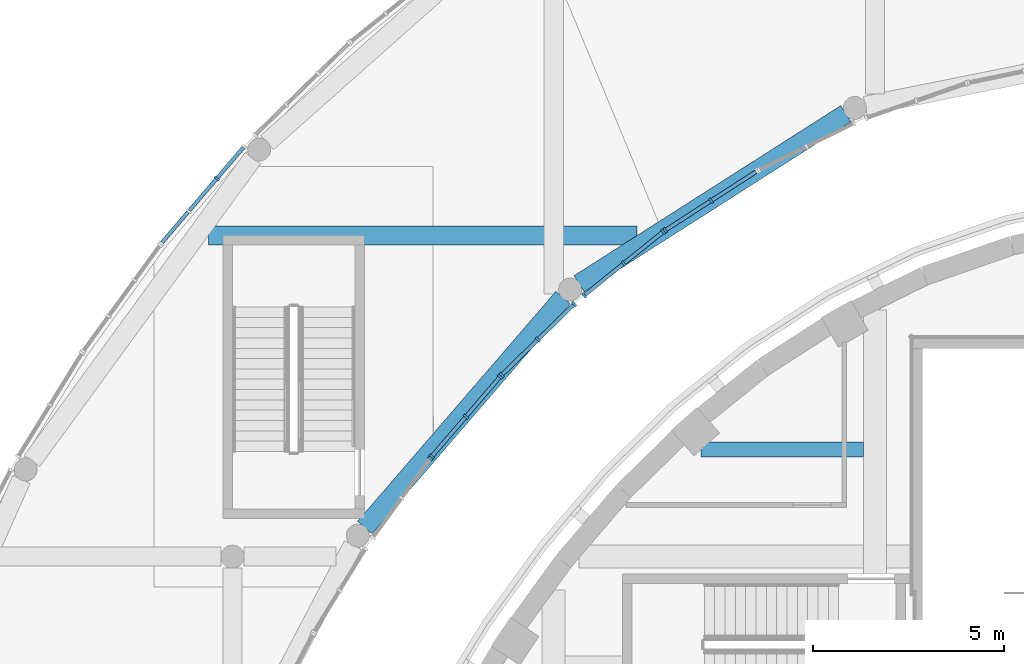
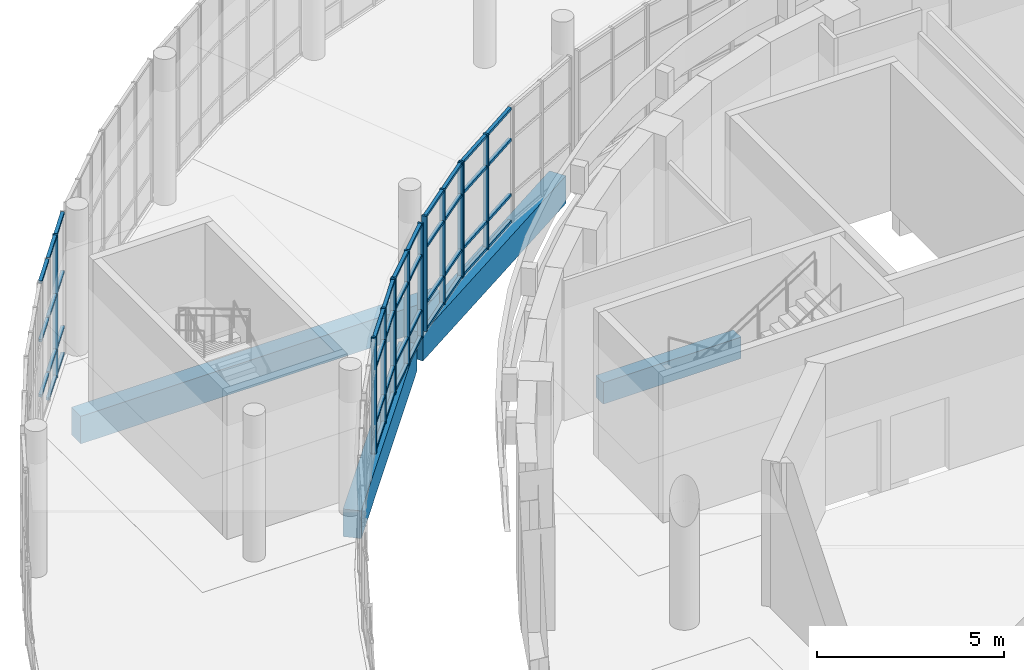
# One storey, part 25 of 119: 56 members, 4 beams, 6 elements without a shape of their own.
"""IFC4 building model written with IfcOpenShell, lengths in metres."""

from ifc_helpers import new_model, si_unit, direction, frame, origin, origin_2d, place, context, subcontext, project, spatial, rectangle, extrude, material, layer, layer_set, material_profile, profile_set, type_object, element, aggregate, save


model = new_model("IFC4")

# Units and contexts
model_context = context("Model", 3, precision=1e-05, world=origin(), true_north=direction((0.0, 1.0)))
body_context = subcontext(model_context, "Body", "Model", "MODEL_VIEW")
ifc_project = project(units=[si_unit("LENGTHUNIT", "METRE"), si_unit("AREAUNIT", "SQUARE_METRE"), si_unit("VOLUMEUNIT", "CUBIC_METRE"), si_unit("PLANEANGLEUNIT", "RADIAN"), si_unit("MASSUNIT", "GRAM", prefix="KILO")], contexts=[model_context])

# Site, building, storey
site_placement = place(None, origin())
site = spatial("IfcSite", under=ifc_project, at=site_placement, CompositionType="ELEMENT")
building_placement = place(site_placement, origin())
building = spatial("IfcBuilding", under=site, at=building_placement, Name="Larchfold Concert Hall", CompositionType="ELEMENT")
storey_placement = place(building_placement, frame((0.0, 0.0, 4.800048828125)))
storey = spatial("IfcBuildingStorey", under=building, at=storey_placement, Name="L01", CompositionType="ELEMENT", Elevation=4.800048828125)

# Curtain wall, member
ifc_material_1 = material(Name="Anodised graphite aluminium curtain wall", Category="aluminium")
ifc_layer = layer(ifc_material_1, 0.14990234375)
ifc_layer_set = layer_set([ifc_layer], Name="Anodised graphite aluminium curtain wall")
curtain_wall_type = type_object("IfcCurtainWallType", Name="Curtain wall WG", PredefinedType="NOTDEFINED", material=ifc_layer_set)
curtain_wall_1_placement = place(storey_placement, origin())
curtain_wall_1 = element("IfcCurtainWall", 1, at=curtain_wall_1_placement, inside=storey, type_object=curtain_wall_type, Name="Curtain wall CW0157", PredefinedType="NOTDEFINED")
ifc_material_2 = material(Name="Anodised graphite aluminium mullion", Category="aluminium")
ifc_material_profile_1 = material_profile(ifc_material_2, rectangle(XDim=0.14990234375, YDim=0.06005859375, at=origin_2d()))
ifc_profile_set_1 = profile_set([ifc_material_profile_1], Name="Anodised graphite aluminium mullion")
member_type_1 = type_object("IfcMemberType", Name="Aluminium mullion 60x150", PredefinedType="MULLION", material=ifc_profile_set_1)
member_1_placement = place(storey_placement, frame((22.573974609375, 112.37158203125, 0.0), z_axis=(0.0, 0.0, 1.0), x_axis=(-0.809887159261, 0.58658570496, 0.0)))
member_1 = element("IfcMember", 2, at=member_1_placement, type_object=member_type_1, Name="CW0157 mullion 3", PredefinedType="MULLION", context=body_context, shape_type="SweptSolid", body=[
    extrude(rectangle(XDim=0.14990234375, YDim=0.06005859375, at=origin_2d()), origin(), (0.0, 0.0, 1.0), 3.75),
])
aggregate(curtain_wall_1, [member_1])

# Curtain wall, members
curtain_wall_2_placement = place(storey_placement, origin())
curtain_wall_2 = element("IfcCurtainWall", 3, at=curtain_wall_2_placement, inside=storey, type_object=curtain_wall_type, Name="Curtain wall CW0158", PredefinedType="NOTDEFINED")
member_2_placement = place(storey_placement, frame((22.611083984375, 112.418701171875, 0.0), z_axis=(0.0, 0.0, 1.0), x_axis=(-0.759495997398, 0.650511975245, 0.0)))
member_2 = element("IfcMember", 4, at=member_2_placement, type_object=member_type_1, Name="CW0158 mullion 1", PredefinedType="MULLION", context=body_context, shape_type="SweptSolid", body=[
    extrude(rectangle(XDim=0.14990234375, YDim=0.06005859375, at=origin_2d()), origin(), (0.0, 0.0, 1.0), 3.75),
])
member_3_placement = place(storey_placement, frame((23.504638671875, 113.4619140625, 0.0), z_axis=(0.0, 0.0, 1.0), x_axis=(-0.759495997398, 0.650511975245, 0.0)))
member_3 = element("IfcMember", 5, at=member_3_placement, type_object=member_type_1, Name="CW0158 mullion 2", PredefinedType="MULLION", context=body_context, shape_type="SweptSolid", body=[
    extrude(rectangle(XDim=0.14990234375, YDim=0.06005859375, at=origin_2d()), origin(), (0.0, 0.0, 1.0), 3.75),
])
member_4_placement = place(storey_placement, frame((24.39794921875, 114.505126953125, 0.0), z_axis=(0.0, 0.0, 1.0), x_axis=(-0.759495997398, 0.650511975245, 0.0)))
member_4 = element("IfcMember", 6, at=member_4_placement, type_object=member_type_1, Name="CW0158 mullion 3", PredefinedType="MULLION", context=body_context, shape_type="SweptSolid", body=[
    extrude(rectangle(XDim=0.14990234375, YDim=0.06005859375, at=origin_2d()), origin(), (0.0, 0.0, 1.0), 3.75),
])

curtain_wall_3_placement = place(storey_placement, origin())
curtain_wall_3 = element("IfcCurtainWall", 7, at=curtain_wall_3_placement, inside=storey, type_object=curtain_wall_type, Name="Curtain wall CW0159", PredefinedType="NOTDEFINED")
member_5_placement = place(storey_placement, frame((24.43896484375, 114.548828125, 0.0), z_axis=(0.0, 0.0, 1.0), x_axis=(-0.69909205443, 0.715031677223, 0.0)))
member_5 = element("IfcMember", 8, at=member_5_placement, type_object=member_type_1, Name="CW0159 mullion 1", PredefinedType="MULLION", context=body_context, shape_type="SweptSolid", body=[
    extrude(rectangle(XDim=0.14990234375, YDim=0.06005859375, at=origin_2d()), origin(), (0.0, 0.0, 1.0), 3.75),
])
member_6_placement = place(storey_placement, frame((25.38671875, 115.475341796875, 0.0), z_axis=(0.0, 0.0, 1.0), x_axis=(-0.69909205443, 0.715031677223, 0.0)))
member_6 = element("IfcMember", 9, at=member_6_placement, type_object=member_type_1, Name="CW0159 mullion 2", PredefinedType="MULLION", context=body_context, shape_type="SweptSolid", body=[
    extrude(rectangle(XDim=0.14990234375, YDim=0.06005859375, at=origin_2d()), origin(), (0.0, 0.0, 1.0), 3.75),
])
member_7_placement = place(storey_placement, frame((26.33447265625, 116.402099609375, 0.0), z_axis=(0.0, 0.0, 1.0), x_axis=(-0.69909205443, 0.715031677223, 0.0)))
member_7 = element("IfcMember", 10, at=member_7_placement, type_object=member_type_1, Name="CW0159 mullion 3", PredefinedType="MULLION", context=body_context, shape_type="SweptSolid", body=[
    extrude(rectangle(XDim=0.14990234375, YDim=0.06005859375, at=origin_2d()), origin(), (0.0, 0.0, 1.0), 3.75),
])

curtain_wall_4_placement = place(storey_placement, origin())
curtain_wall_4 = element("IfcCurtainWall", 11, at=curtain_wall_4_placement, inside=storey, type_object=curtain_wall_type, Name="Curtain wall CW0160", PredefinedType="NOTDEFINED")
member_8_placement = place(storey_placement, frame((26.596435546875, 116.6328125, 0.0), z_axis=(0.0, 0.0, 1.0), x_axis=(-0.626938911007, 0.779068419245, 0.0)))
member_8 = element("IfcMember", 12, at=member_8_placement, type_object=member_type_1, Name="CW0160 mullion 1", PredefinedType="MULLION", context=body_context, shape_type="SweptSolid", body=[
    extrude(rectangle(XDim=0.14990234375, YDim=0.06005859375, at=origin_2d()), origin(), (0.0, 0.0, 1.0), 3.75),
])
member_9_placement = place(storey_placement, frame((27.63134765625, 117.465576171875, 0.0), z_axis=(0.0, 0.0, 1.0), x_axis=(-0.626938911007, 0.779068419245, 0.0)))
member_9 = element("IfcMember", 13, at=member_9_placement, type_object=member_type_1, Name="CW0160 mullion 2", PredefinedType="MULLION", context=body_context, shape_type="SweptSolid", body=[
    extrude(rectangle(XDim=0.14990234375, YDim=0.06005859375, at=origin_2d()), origin(), (0.0, 0.0, 1.0), 3.75),
])
member_10_placement = place(storey_placement, frame((28.666259765625, 118.298583984375, 0.0), z_axis=(0.0, 0.0, 1.0), x_axis=(-0.626938911007, 0.779068419245, 0.0)))
member_10 = element("IfcMember", 14, at=member_10_placement, type_object=member_type_1, Name="CW0160 mullion 3", PredefinedType="MULLION", context=body_context, shape_type="SweptSolid", body=[
    extrude(rectangle(XDim=0.14990234375, YDim=0.06005859375, at=origin_2d()), origin(), (0.0, 0.0, 1.0), 3.75),
])

curtain_wall_5_placement = place(storey_placement, origin())
curtain_wall_5 = element("IfcCurtainWall", 15, at=curtain_wall_5_placement, inside=storey, type_object=curtain_wall_type, Name="Curtain wall CW0161", PredefinedType="NOTDEFINED")
member_11_placement = place(storey_placement, frame((28.71484375, 118.333740234375, 0.0), z_axis=(0.0, 0.0, 1.0), x_axis=(-0.541844610619, 0.840478683813, 0.0)))
member_11 = element("IfcMember", 16, at=member_11_placement, type_object=member_type_1, Name="CW0161 mullion 1", PredefinedType="MULLION", context=body_context, shape_type="SweptSolid", body=[
    extrude(rectangle(XDim=0.14990234375, YDim=0.06005859375, at=origin_2d()), origin(), (0.0, 0.0, 1.0), 3.75),
])
member_12_placement = place(storey_placement, frame((29.915283203125, 119.107421875, 0.0), z_axis=(0.0, 0.0, 1.0), x_axis=(-0.541844610619, 0.840478683813, 0.0)))
member_12 = element("IfcMember", 17, at=member_12_placement, type_object=member_type_1, Name="CW0161 mullion 2", PredefinedType="MULLION", context=body_context, shape_type="SweptSolid", body=[
    extrude(rectangle(XDim=0.14990234375, YDim=0.06005859375, at=origin_2d()), origin(), (0.0, 0.0, 1.0), 3.75),
])

# Curtain wall, member
curtain_wall_6_placement = place(storey_placement, origin())
curtain_wall_6 = element("IfcCurtainWall", 18, at=curtain_wall_6_placement, inside=storey, type_object=curtain_wall_type, Name="Curtain wall CW0184", PredefinedType="NOTDEFINED")
member_13_placement = place(storey_placement, frame((16.9892578125, 119.690185546875, 0.0), z_axis=(0.0, 0.0, 1.0), x_axis=(0.759444508199, -0.650572085911, 0.0)))
member_13 = element("IfcMember", 19, at=member_13_placement, type_object=member_type_1, Name="CW0184 mullion 2", PredefinedType="MULLION", context=body_context, shape_type="SweptSolid", body=[
    extrude(rectangle(XDim=0.14990234375, YDim=0.06005859375, at=origin_2d()), origin(), (0.0, 0.0, 1.0), 4.64990234375),
])

# Member
ifc_material_3 = material(Name="Anodised graphite aluminium transom", Category="aluminium")
ifc_material_profile_2 = material_profile(ifc_material_3, rectangle(XDim=0.10009765625, YDim=0.080078125, at=origin_2d()))
ifc_profile_set_2 = profile_set([ifc_material_profile_2], Name="Anodised graphite aluminium transom")
member_type_2 = type_object("IfcMemberType", Name="Aluminium transom 80x100", PredefinedType="USERDEFINED", material=ifc_profile_set_2)
member_14_placement = place(storey_placement, frame((22.630615234375, 112.441650390625, 0.0400390625), z_axis=(0.650546428002, 0.759466487091, 0.0), x_axis=(-0.759466487091, 0.650546428002, 0.0)))
member_14 = element("IfcMember", 20, at=member_14_placement, type_object=member_type_2, Name="CW0158 transom 1.1", ObjectType="TRANSOM", PredefinedType="USERDEFINED", context=body_context, shape_type="SweptSolid", body=[
    extrude(rectangle(XDim=0.10009765625, YDim=0.080078125, at=origin_2d()), origin(), (0.0, 0.0, 1.0), 1.3134765625),
])

member_15_placement = place(storey_placement, frame((22.630615234375, 112.441650390625, 0.89990234375), z_axis=(0.650546428002, 0.759466487091, 0.0), x_axis=(-0.759466487091, 0.650546428002, 0.0)))
member_15 = element("IfcMember", 21, at=member_15_placement, type_object=member_type_2, Name="CW0158 transom 1.2", ObjectType="TRANSOM", PredefinedType="USERDEFINED", context=body_context, shape_type="SweptSolid", body=[
    extrude(rectangle(XDim=0.10009765625, YDim=0.080078125, at=origin_2d()), origin(), (0.0, 0.0, 1.0), 1.3134765625),
])

member_16_placement = place(storey_placement, frame((22.630615234375, 112.441650390625, 2.699951171875), z_axis=(0.650546428002, 0.759466487091, 0.0), x_axis=(-0.759466487091, 0.650546428002, 0.0)))
member_16 = element("IfcMember", 22, at=member_16_placement, type_object=member_type_2, Name="CW0158 transom 1.3", ObjectType="TRANSOM", PredefinedType="USERDEFINED", context=body_context, shape_type="SweptSolid", body=[
    extrude(rectangle(XDim=0.10009765625, YDim=0.080078125, at=origin_2d()), origin(), (0.0, 0.0, 1.0), 1.3134765625),
])

member_17_placement = place(storey_placement, frame((22.630615234375, 112.441650390625, 3.7099609375), z_axis=(0.650546428002, 0.759466487091, 0.0), x_axis=(-0.759466487091, 0.650546428002, 0.0)))
member_17 = element("IfcMember", 23, at=member_17_placement, type_object=member_type_2, Name="CW0158 transom 1.4", ObjectType="TRANSOM", PredefinedType="USERDEFINED", context=body_context, shape_type="SweptSolid", body=[
    extrude(rectangle(XDim=0.10009765625, YDim=0.080078125, at=origin_2d()), origin(), (0.0, 0.0, 1.0), 1.3134765625),
])

member_18_placement = place(storey_placement, frame((23.52392578125, 113.484619140625, 0.0400390625), z_axis=(0.650546428002, 0.759466487091, 0.0), x_axis=(-0.759466487091, 0.650546428002, 0.0)))
member_18 = element("IfcMember", 24, at=member_18_placement, type_object=member_type_2, Name="CW0158 transom 2.1", ObjectType="TRANSOM", PredefinedType="USERDEFINED", context=body_context, shape_type="SweptSolid", body=[
    extrude(rectangle(XDim=0.10009765625, YDim=0.080078125, at=origin_2d()), origin(), (0.0, 0.0, 1.0), 1.3134765625),
])

member_19_placement = place(storey_placement, frame((23.52392578125, 113.484619140625, 0.89990234375), z_axis=(0.650546428002, 0.759466487091, 0.0), x_axis=(-0.759466487091, 0.650546428002, 0.0)))
member_19 = element("IfcMember", 25, at=member_19_placement, type_object=member_type_2, Name="CW0158 transom 2.2", ObjectType="TRANSOM", PredefinedType="USERDEFINED", context=body_context, shape_type="SweptSolid", body=[
    extrude(rectangle(XDim=0.10009765625, YDim=0.080078125, at=origin_2d()), origin(), (0.0, 0.0, 1.0), 1.3134765625),
])

member_20_placement = place(storey_placement, frame((23.52392578125, 113.484619140625, 2.699951171875), z_axis=(0.650546428002, 0.759466487091, 0.0), x_axis=(-0.759466487091, 0.650546428002, 0.0)))
member_20 = element("IfcMember", 26, at=member_20_placement, type_object=member_type_2, Name="CW0158 transom 2.3", ObjectType="TRANSOM", PredefinedType="USERDEFINED", context=body_context, shape_type="SweptSolid", body=[
    extrude(rectangle(XDim=0.10009765625, YDim=0.080078125, at=origin_2d()), origin(), (0.0, 0.0, 1.0), 1.3134765625),
])

member_21_placement = place(storey_placement, frame((23.52392578125, 113.484619140625, 3.7099609375), z_axis=(0.650546428002, 0.759466487091, 0.0), x_axis=(-0.759466487091, 0.650546428002, 0.0)))
member_21 = element("IfcMember", 27, at=member_21_placement, type_object=member_type_2, Name="CW0158 transom 2.4", ObjectType="TRANSOM", PredefinedType="USERDEFINED", context=body_context, shape_type="SweptSolid", body=[
    extrude(rectangle(XDim=0.10009765625, YDim=0.080078125, at=origin_2d()), origin(), (0.0, 0.0, 1.0), 1.3134765625),
])

aggregate(curtain_wall_2, [member_2, member_3, member_4, member_14, member_15, member_16, member_17, member_18, member_19, member_20, member_21])

member_22_placement = place(storey_placement, frame((24.46044921875, 114.56982421875, 0.0400390625), z_axis=(0.714972379402, 0.699152699124, 0.0), x_axis=(-0.699152699124, 0.714972379402, 0.0)))
member_22 = element("IfcMember", 28, at=member_22_placement, type_object=member_type_2, Name="CW0159 transom 1.1", ObjectType="TRANSOM", PredefinedType="USERDEFINED", context=body_context, shape_type="SweptSolid", body=[
    extrude(rectangle(XDim=0.10009765625, YDim=0.080078125, at=origin_2d()), origin(), (0.0, 0.0, 1.0), 1.265380859375),
])

member_23_placement = place(storey_placement, frame((24.46044921875, 114.56982421875, 0.89990234375), z_axis=(0.714972379402, 0.699152699124, 0.0), x_axis=(-0.699152699124, 0.714972379402, 0.0)))
member_23 = element("IfcMember", 29, at=member_23_placement, type_object=member_type_2, Name="CW0159 transom 1.2", ObjectType="TRANSOM", PredefinedType="USERDEFINED", context=body_context, shape_type="SweptSolid", body=[
    extrude(rectangle(XDim=0.10009765625, YDim=0.080078125, at=origin_2d()), origin(), (0.0, 0.0, 1.0), 1.265380859375),
])

member_24_placement = place(storey_placement, frame((24.46044921875, 114.56982421875, 2.699951171875), z_axis=(0.714972379402, 0.699152699124, 0.0), x_axis=(-0.699152699124, 0.714972379402, 0.0)))
member_24 = element("IfcMember", 30, at=member_24_placement, type_object=member_type_2, Name="CW0159 transom 1.3", ObjectType="TRANSOM", PredefinedType="USERDEFINED", context=body_context, shape_type="SweptSolid", body=[
    extrude(rectangle(XDim=0.10009765625, YDim=0.080078125, at=origin_2d()), origin(), (0.0, 0.0, 1.0), 1.265380859375),
])

member_25_placement = place(storey_placement, frame((24.46044921875, 114.56982421875, 3.7099609375), z_axis=(0.714972379402, 0.699152699124, 0.0), x_axis=(-0.699152699124, 0.714972379402, 0.0)))
member_25 = element("IfcMember", 31, at=member_25_placement, type_object=member_type_2, Name="CW0159 transom 1.4", ObjectType="TRANSOM", PredefinedType="USERDEFINED", context=body_context, shape_type="SweptSolid", body=[
    extrude(rectangle(XDim=0.10009765625, YDim=0.080078125, at=origin_2d()), origin(), (0.0, 0.0, 1.0), 1.265380859375),
])

member_26_placement = place(storey_placement, frame((25.408203125, 115.496337890625, 0.0400390625), z_axis=(0.714972379402, 0.699152699124, 0.0), x_axis=(-0.699152699124, 0.714972379402, 0.0)))
member_26 = element("IfcMember", 32, at=member_26_placement, type_object=member_type_2, Name="CW0159 transom 2.1", ObjectType="TRANSOM", PredefinedType="USERDEFINED", context=body_context, shape_type="SweptSolid", body=[
    extrude(rectangle(XDim=0.10009765625, YDim=0.080078125, at=origin_2d()), origin(), (0.0, 0.0, 1.0), 1.265380859375),
])

member_27_placement = place(storey_placement, frame((25.408203125, 115.496337890625, 0.89990234375), z_axis=(0.714972379402, 0.699152699124, 0.0), x_axis=(-0.699152699124, 0.714972379402, 0.0)))
member_27 = element("IfcMember", 33, at=member_27_placement, type_object=member_type_2, Name="CW0159 transom 2.2", ObjectType="TRANSOM", PredefinedType="USERDEFINED", context=body_context, shape_type="SweptSolid", body=[
    extrude(rectangle(XDim=0.10009765625, YDim=0.080078125, at=origin_2d()), origin(), (0.0, 0.0, 1.0), 1.265380859375),
])

member_28_placement = place(storey_placement, frame((25.408203125, 115.496337890625, 2.699951171875), z_axis=(0.714972379402, 0.699152699124, 0.0), x_axis=(-0.699152699124, 0.714972379402, 0.0)))
member_28 = element("IfcMember", 34, at=member_28_placement, type_object=member_type_2, Name="CW0159 transom 2.3", ObjectType="TRANSOM", PredefinedType="USERDEFINED", context=body_context, shape_type="SweptSolid", body=[
    extrude(rectangle(XDim=0.10009765625, YDim=0.080078125, at=origin_2d()), origin(), (0.0, 0.0, 1.0), 1.265380859375),
])

member_29_placement = place(storey_placement, frame((25.408203125, 115.496337890625, 3.7099609375), z_axis=(0.714972379402, 0.699152699124, 0.0), x_axis=(-0.699152699124, 0.714972379402, 0.0)))
member_29 = element("IfcMember", 35, at=member_29_placement, type_object=member_type_2, Name="CW0159 transom 2.4", ObjectType="TRANSOM", PredefinedType="USERDEFINED", context=body_context, shape_type="SweptSolid", body=[
    extrude(rectangle(XDim=0.10009765625, YDim=0.080078125, at=origin_2d()), origin(), (0.0, 0.0, 1.0), 1.265380859375),
])

aggregate(curtain_wall_3, [member_5, member_6, member_7, member_22, member_23, member_24, member_25, member_26, member_27, member_28, member_29])

member_30_placement = place(storey_placement, frame((26.61962890625, 116.651611328125, 0.0400390625), z_axis=(0.779119443181, 0.626875500603, 0.0), x_axis=(-0.626875500603, 0.779119443181, 0.0)))
member_30 = element("IfcMember", 36, at=member_30_placement, type_object=member_type_2, Name="CW0160 transom 1.1", ObjectType="TRANSOM", PredefinedType="USERDEFINED", context=body_context, shape_type="SweptSolid", body=[
    extrude(rectangle(XDim=0.10009765625, YDim=0.080078125, at=origin_2d()), origin(), (0.0, 0.0, 1.0), 1.2685546875),
])

member_31_placement = place(storey_placement, frame((26.61962890625, 116.651611328125, 0.89990234375), z_axis=(0.779119443181, 0.626875500603, 0.0), x_axis=(-0.626875500603, 0.779119443181, 0.0)))
member_31 = element("IfcMember", 37, at=member_31_placement, type_object=member_type_2, Name="CW0160 transom 1.2", ObjectType="TRANSOM", PredefinedType="USERDEFINED", context=body_context, shape_type="SweptSolid", body=[
    extrude(rectangle(XDim=0.10009765625, YDim=0.080078125, at=origin_2d()), origin(), (0.0, 0.0, 1.0), 1.2685546875),
])

member_32_placement = place(storey_placement, frame((26.61962890625, 116.651611328125, 2.699951171875), z_axis=(0.779119443181, 0.626875500603, 0.0), x_axis=(-0.626875500603, 0.779119443181, 0.0)))
member_32 = element("IfcMember", 38, at=member_32_placement, type_object=member_type_2, Name="CW0160 transom 1.3", ObjectType="TRANSOM", PredefinedType="USERDEFINED", context=body_context, shape_type="SweptSolid", body=[
    extrude(rectangle(XDim=0.10009765625, YDim=0.080078125, at=origin_2d()), origin(), (0.0, 0.0, 1.0), 1.2685546875),
])

member_33_placement = place(storey_placement, frame((26.61962890625, 116.651611328125, 3.7099609375), z_axis=(0.779119443181, 0.626875500603, 0.0), x_axis=(-0.626875500603, 0.779119443181, 0.0)))
member_33 = element("IfcMember", 39, at=member_33_placement, type_object=member_type_2, Name="CW0160 transom 1.4", ObjectType="TRANSOM", PredefinedType="USERDEFINED", context=body_context, shape_type="SweptSolid", body=[
    extrude(rectangle(XDim=0.10009765625, YDim=0.080078125, at=origin_2d()), origin(), (0.0, 0.0, 1.0), 1.2685546875),
])

member_34_placement = place(storey_placement, frame((27.65478515625, 117.484619140625, 0.0400390625), z_axis=(0.779119443181, 0.626875500603, 0.0), x_axis=(-0.626875500603, 0.779119443181, 0.0)))
member_34 = element("IfcMember", 40, at=member_34_placement, type_object=member_type_2, Name="CW0160 transom 2.1", ObjectType="TRANSOM", PredefinedType="USERDEFINED", context=body_context, shape_type="SweptSolid", body=[
    extrude(rectangle(XDim=0.10009765625, YDim=0.080078125, at=origin_2d()), origin(), (0.0, 0.0, 1.0), 1.2685546875),
])

member_35_placement = place(storey_placement, frame((27.65478515625, 117.484619140625, 0.89990234375), z_axis=(0.779119443181, 0.626875500603, 0.0), x_axis=(-0.626875500603, 0.779119443181, 0.0)))
member_35 = element("IfcMember", 41, at=member_35_placement, type_object=member_type_2, Name="CW0160 transom 2.2", ObjectType="TRANSOM", PredefinedType="USERDEFINED", context=body_context, shape_type="SweptSolid", body=[
    extrude(rectangle(XDim=0.10009765625, YDim=0.080078125, at=origin_2d()), origin(), (0.0, 0.0, 1.0), 1.2685546875),
])

member_36_placement = place(storey_placement, frame((27.65478515625, 117.484619140625, 2.699951171875), z_axis=(0.779119443181, 0.626875500603, 0.0), x_axis=(-0.626875500603, 0.779119443181, 0.0)))
member_36 = element("IfcMember", 42, at=member_36_placement, type_object=member_type_2, Name="CW0160 transom 2.3", ObjectType="TRANSOM", PredefinedType="USERDEFINED", context=body_context, shape_type="SweptSolid", body=[
    extrude(rectangle(XDim=0.10009765625, YDim=0.080078125, at=origin_2d()), origin(), (0.0, 0.0, 1.0), 1.2685546875),
])

member_37_placement = place(storey_placement, frame((27.65478515625, 117.484619140625, 3.7099609375), z_axis=(0.779119443181, 0.626875500603, 0.0), x_axis=(-0.626875500603, 0.779119443181, 0.0)))
member_37 = element("IfcMember", 43, at=member_37_placement, type_object=member_type_2, Name="CW0160 transom 2.4", ObjectType="TRANSOM", PredefinedType="USERDEFINED", context=body_context, shape_type="SweptSolid", body=[
    extrude(rectangle(XDim=0.10009765625, YDim=0.080078125, at=origin_2d()), origin(), (0.0, 0.0, 1.0), 1.2685546875),
])

aggregate(curtain_wall_4, [member_8, member_9, member_10, member_30, member_31, member_32, member_33, member_34, member_35, member_36, member_37])

member_38_placement = place(storey_placement, frame((28.740234375, 118.349853515625, 0.0400390625), z_axis=(0.840464466125, 0.541866663656, 0.0), x_axis=(-0.541866663656, 0.840464466125, 0.0)))
member_38 = element("IfcMember", 44, at=member_38_placement, type_object=member_type_2, Name="CW0161 transom 1.1", ObjectType="TRANSOM", PredefinedType="USERDEFINED", context=body_context, shape_type="SweptSolid", body=[
    extrude(rectangle(XDim=0.10009765625, YDim=0.080078125, at=origin_2d()), origin(), (0.0, 0.0, 1.0), 1.367919921875),
])

member_39_placement = place(storey_placement, frame((28.740234375, 118.349853515625, 0.89990234375), z_axis=(0.840464466125, 0.541866663656, 0.0), x_axis=(-0.541866663656, 0.840464466125, 0.0)))
member_39 = element("IfcMember", 45, at=member_39_placement, type_object=member_type_2, Name="CW0161 transom 1.2", ObjectType="TRANSOM", PredefinedType="USERDEFINED", context=body_context, shape_type="SweptSolid", body=[
    extrude(rectangle(XDim=0.10009765625, YDim=0.080078125, at=origin_2d()), origin(), (0.0, 0.0, 1.0), 1.367919921875),
])

member_40_placement = place(storey_placement, frame((28.740234375, 118.349853515625, 2.699951171875), z_axis=(0.840464466125, 0.541866663656, 0.0), x_axis=(-0.541866663656, 0.840464466125, 0.0)))
member_40 = element("IfcMember", 46, at=member_40_placement, type_object=member_type_2, Name="CW0161 transom 1.3", ObjectType="TRANSOM", PredefinedType="USERDEFINED", context=body_context, shape_type="SweptSolid", body=[
    extrude(rectangle(XDim=0.10009765625, YDim=0.080078125, at=origin_2d()), origin(), (0.0, 0.0, 1.0), 1.367919921875),
])

member_41_placement = place(storey_placement, frame((28.740234375, 118.349853515625, 3.7099609375), z_axis=(0.840464466125, 0.541866663656, 0.0), x_axis=(-0.541866663656, 0.840464466125, 0.0)))
member_41 = element("IfcMember", 47, at=member_41_placement, type_object=member_type_2, Name="CW0161 transom 1.4", ObjectType="TRANSOM", PredefinedType="USERDEFINED", context=body_context, shape_type="SweptSolid", body=[
    extrude(rectangle(XDim=0.10009765625, YDim=0.080078125, at=origin_2d()), origin(), (0.0, 0.0, 1.0), 1.367919921875),
])

member_42_placement = place(storey_placement, frame((29.9404296875, 119.123779296875, 0.0400390625), z_axis=(0.840464466125, 0.541866663656, 0.0), x_axis=(-0.541866663656, 0.840464466125, 0.0)))
member_42 = element("IfcMember", 48, at=member_42_placement, type_object=member_type_2, Name="CW0161 transom 2.1", ObjectType="TRANSOM", PredefinedType="USERDEFINED", context=body_context, shape_type="SweptSolid", body=[
    extrude(rectangle(XDim=0.10009765625, YDim=0.080078125, at=origin_2d()), origin(), (0.0, 0.0, 1.0), 1.367919921875),
])

member_43_placement = place(storey_placement, frame((29.9404296875, 119.123779296875, 0.89990234375), z_axis=(0.840464466125, 0.541866663656, 0.0), x_axis=(-0.541866663656, 0.840464466125, 0.0)))
member_43 = element("IfcMember", 49, at=member_43_placement, type_object=member_type_2, Name="CW0161 transom 2.2", ObjectType="TRANSOM", PredefinedType="USERDEFINED", context=body_context, shape_type="SweptSolid", body=[
    extrude(rectangle(XDim=0.10009765625, YDim=0.080078125, at=origin_2d()), origin(), (0.0, 0.0, 1.0), 1.367919921875),
])

member_44_placement = place(storey_placement, frame((29.9404296875, 119.123779296875, 2.699951171875), z_axis=(0.840464466125, 0.541866663656, 0.0), x_axis=(-0.541866663656, 0.840464466125, 0.0)))
member_44 = element("IfcMember", 50, at=member_44_placement, type_object=member_type_2, Name="CW0161 transom 2.3", ObjectType="TRANSOM", PredefinedType="USERDEFINED", context=body_context, shape_type="SweptSolid", body=[
    extrude(rectangle(XDim=0.10009765625, YDim=0.080078125, at=origin_2d()), origin(), (0.0, 0.0, 1.0), 1.367919921875),
])

member_45_placement = place(storey_placement, frame((29.9404296875, 119.123779296875, 3.7099609375), z_axis=(0.840464466125, 0.541866663656, 0.0), x_axis=(-0.541866663656, 0.840464466125, 0.0)))
member_45 = element("IfcMember", 51, at=member_45_placement, type_object=member_type_2, Name="CW0161 transom 2.4", ObjectType="TRANSOM", PredefinedType="USERDEFINED", context=body_context, shape_type="SweptSolid", body=[
    extrude(rectangle(XDim=0.10009765625, YDim=0.080078125, at=origin_2d()), origin(), (0.0, 0.0, 1.0), 1.367919921875),
])

aggregate(curtain_wall_5, [member_11, member_12, member_38, member_39, member_40, member_41, member_42, member_43, member_44, member_45])

member_46_placement = place(storey_placement, frame((17.68603515625, 120.50341796875, 0.0400390625), z_axis=(-0.650598206487, -0.759422131437, 0.0), x_axis=(0.759422131437, -0.650598206487, 0.0)))
member_46 = element("IfcMember", 52, at=member_46_placement, type_object=member_type_2, Name="CW0184 transom 1.1", ObjectType="TRANSOM", PredefinedType="USERDEFINED", context=body_context, shape_type="SweptSolid", body=[
    extrude(rectangle(XDim=0.10009765625, YDim=0.080078125, at=origin_2d()), origin(), (0.0, 0.0, 1.0), 1.041015625),
])

member_47_placement = place(storey_placement, frame((17.68603515625, 120.50341796875, 0.89990234375), z_axis=(-0.650598206487, -0.759422131437, 0.0), x_axis=(0.759422131437, -0.650598206487, 0.0)))
member_47 = element("IfcMember", 53, at=member_47_placement, type_object=member_type_2, Name="CW0184 transom 1.2", ObjectType="TRANSOM", PredefinedType="USERDEFINED", context=body_context, shape_type="SweptSolid", body=[
    extrude(rectangle(XDim=0.10009765625, YDim=0.080078125, at=origin_2d()), origin(), (0.0, 0.0, 1.0), 1.041015625),
])

member_48_placement = place(storey_placement, frame((17.68603515625, 120.50341796875, 2.699951171875), z_axis=(-0.650598206487, -0.759422131437, 0.0), x_axis=(0.759422131437, -0.650598206487, 0.0)))
member_48 = element("IfcMember", 54, at=member_48_placement, type_object=member_type_2, Name="CW0184 transom 1.3", ObjectType="TRANSOM", PredefinedType="USERDEFINED", context=body_context, shape_type="SweptSolid", body=[
    extrude(rectangle(XDim=0.10009765625, YDim=0.080078125, at=origin_2d()), origin(), (0.0, 0.0, 1.0), 1.041015625),
])

member_49_placement = place(storey_placement, frame((17.68603515625, 120.50341796875, 4.60986328125), z_axis=(-0.650598206487, -0.759422131437, 0.0), x_axis=(0.759422131437, -0.650598206487, 0.0)))
member_49 = element("IfcMember", 55, at=member_49_placement, type_object=member_type_2, Name="CW0184 transom 1.4", ObjectType="TRANSOM", PredefinedType="USERDEFINED", context=body_context, shape_type="SweptSolid", body=[
    extrude(rectangle(XDim=0.10009765625, YDim=0.080078125, at=origin_2d()), origin(), (0.0, 0.0, 1.0), 1.041015625),
])

member_50_placement = place(storey_placement, frame((16.9697265625, 119.66748046875, 0.0400390625), z_axis=(-0.650397032553, -0.759594431289, 0.0), x_axis=(0.759594431289, -0.650397032553, 0.0)))
member_50 = element("IfcMember", 56, at=member_50_placement, type_object=member_type_2, Name="CW0184 transom 2.1", ObjectType="TRANSOM", PredefinedType="USERDEFINED", context=body_context, shape_type="SweptSolid", body=[
    extrude(rectangle(XDim=0.10009765625, YDim=0.080078125, at=origin_2d()), origin(), (0.0, 0.0, 1.0), 1.071044921875),
])

member_51_placement = place(storey_placement, frame((16.9697265625, 119.66748046875, 0.89990234375), z_axis=(-0.650397032553, -0.759594431289, 0.0), x_axis=(0.759594431289, -0.650397032553, 0.0)))
member_51 = element("IfcMember", 57, at=member_51_placement, type_object=member_type_2, Name="CW0184 transom 2.2", ObjectType="TRANSOM", PredefinedType="USERDEFINED", context=body_context, shape_type="SweptSolid", body=[
    extrude(rectangle(XDim=0.10009765625, YDim=0.080078125, at=origin_2d()), origin(), (0.0, 0.0, 1.0), 1.071044921875),
])

member_52_placement = place(storey_placement, frame((16.9697265625, 119.66748046875, 2.699951171875), z_axis=(-0.650397032553, -0.759594431289, 0.0), x_axis=(0.759594431289, -0.650397032553, 0.0)))
member_52 = element("IfcMember", 58, at=member_52_placement, type_object=member_type_2, Name="CW0184 transom 2.3", ObjectType="TRANSOM", PredefinedType="USERDEFINED", context=body_context, shape_type="SweptSolid", body=[
    extrude(rectangle(XDim=0.10009765625, YDim=0.080078125, at=origin_2d()), origin(), (0.0, 0.0, 1.0), 1.071044921875),
])

member_53_placement = place(storey_placement, frame((16.9697265625, 119.66748046875, 4.60986328125), z_axis=(-0.650397032553, -0.759594431289, 0.0), x_axis=(0.759594431289, -0.650397032553, 0.0)))
member_53 = element("IfcMember", 59, at=member_53_placement, type_object=member_type_2, Name="CW0184 transom 2.4", ObjectType="TRANSOM", PredefinedType="USERDEFINED", context=body_context, shape_type="SweptSolid", body=[
    extrude(rectangle(XDim=0.10009765625, YDim=0.080078125, at=origin_2d()), origin(), (0.0, 0.0, 1.0), 1.071044921875),
])

member_54_placement = place(storey_placement, frame((16.234130859375, 118.80859375, 0.89990234375), z_axis=(-0.650598206487, -0.759422131437, 0.0), x_axis=(0.759422131437, -0.650598206487, 0.0)))
member_54 = element("IfcMember", 60, at=member_54_placement, type_object=member_type_2, Name="CW0184 transom 3.2", ObjectType="TRANSOM", PredefinedType="USERDEFINED", context=body_context, shape_type="SweptSolid", body=[
    extrude(rectangle(XDim=0.10009765625, YDim=0.080078125, at=origin_2d()), origin(), (0.0, 0.0, 1.0), 1.041015625),
])

member_55_placement = place(storey_placement, frame((16.234130859375, 118.80859375, 2.699951171875), z_axis=(-0.650598206487, -0.759422131437, 0.0), x_axis=(0.759422131437, -0.650598206487, 0.0)))
member_55 = element("IfcMember", 61, at=member_55_placement, type_object=member_type_2, Name="CW0184 transom 3.3", ObjectType="TRANSOM", PredefinedType="USERDEFINED", context=body_context, shape_type="SweptSolid", body=[
    extrude(rectangle(XDim=0.10009765625, YDim=0.080078125, at=origin_2d()), origin(), (0.0, 0.0, 1.0), 1.041015625),
])

member_56_placement = place(storey_placement, frame((16.234130859375, 118.80859375, 4.60986328125), z_axis=(-0.650598206487, -0.759422131437, 0.0), x_axis=(0.759422131437, -0.650598206487, 0.0)))
member_56 = element("IfcMember", 62, at=member_56_placement, type_object=member_type_2, Name="CW0184 transom 3.4", ObjectType="TRANSOM", PredefinedType="USERDEFINED", context=body_context, shape_type="SweptSolid", body=[
    extrude(rectangle(XDim=0.10009765625, YDim=0.080078125, at=origin_2d()), origin(), (0.0, 0.0, 1.0), 1.041015625),
])

aggregate(curtain_wall_6, [member_13, member_46, member_47, member_48, member_49, member_50, member_51, member_52, member_53, member_54, member_55, member_56])

# Beams
ifc_material_4 = material(Name="Concrete C35/45", Category="concrete")
ifc_material_profile_3 = material_profile(ifc_material_4, rectangle(XDim=0.39990234375, YDim=0.699951171875, at=origin_2d()))
ifc_profile_set_3 = profile_set([ifc_material_profile_3], Name="Concrete C35/45")
beam_type_1 = type_object("IfcBeamType", Name="Beam RC 400x700", PredefinedType="BEAM", material=ifc_profile_set_3)
beam_1_placement = place(storey_placement, frame((29.65478515625, 112.60009765625, -0.550048828125), z_axis=(1.0, 0.0, 0.0), x_axis=(0.0, 1.0, 0.0)))
element("IfcBeam", 63, at=beam_1_placement, inside=storey, type_object=beam_type_1, Name="Beam B1261", PredefinedType="BEAM", context=body_context, shape_type="SweptSolid", body=[
    extrude(rectangle(XDim=0.39990234375, YDim=0.699951171875, at=origin_2d()), origin(), (0.0, 0.0, 1.0), 4.2451171875),
])
ifc_material_5 = material(Name="Concrete C35/45", Category="concrete")
ifc_material_profile_4 = material_profile(ifc_material_5, rectangle(XDim=0.5, YDim=0.89990234375, at=origin_2d()))
ifc_profile_set_4 = profile_set([ifc_material_profile_4], Name="Concrete C35/45")
beam_type_2 = type_object("IfcBeamType", Name="Beam RC 500x900", PredefinedType="BEAM", material=ifc_profile_set_4)
beam_2_placement = place(storey_placement, frame((33.43994140625, 121.384521484375, -0.60009765625), z_axis=(-0.843143411059, -0.537688746756, 0.0), x_axis=(0.537688746756, -0.843143411059, 0.0)))
element("IfcBeam", 64, at=beam_2_placement, inside=storey, type_object=beam_type_2, Name="Beam B1883", PredefinedType="BEAM", context=body_context, shape_type="SweptSolid", body=[
    extrude(rectangle(XDim=0.5, YDim=0.89990234375, at=origin_2d()), origin(), (0.0, 0.0, 1.0), 8.2724609375),
])
beam_3_placement = place(storey_placement, frame((26.046142578125, 116.573974609375, -0.60009765625), z_axis=(-0.653186585246, -0.757196992106, 0.0), x_axis=(0.757196992106, -0.653186585246, 0.0)))
element("IfcBeam", 65, at=beam_3_placement, inside=storey, type_object=beam_type_2, Name="Beam B1884", PredefinedType="BEAM", context=body_context, shape_type="SweptSolid", body=[
    extrude(rectangle(XDim=0.5, YDim=0.89990234375, at=origin_2d()), origin(), (0.0, 0.0, 1.0), 7.9384765625),
])
beam_4_placement = place(storey_placement, frame((16.76904296875, 118.199951171875, -0.60009765625), z_axis=(1.0, 0.0, 0.0), x_axis=(0.0, 1.0, 0.0)))
element("IfcBeam", 66, at=beam_4_placement, inside=storey, type_object=beam_type_2, Name="Beam B1929", PredefinedType="BEAM", context=body_context, shape_type="SweptSolid", body=[
    extrude(rectangle(XDim=0.5, YDim=0.89990234375, at=origin_2d()), origin(), (0.0, 0.0, 1.0), 11.21240234375),
])

save(model, "model.ifc")
